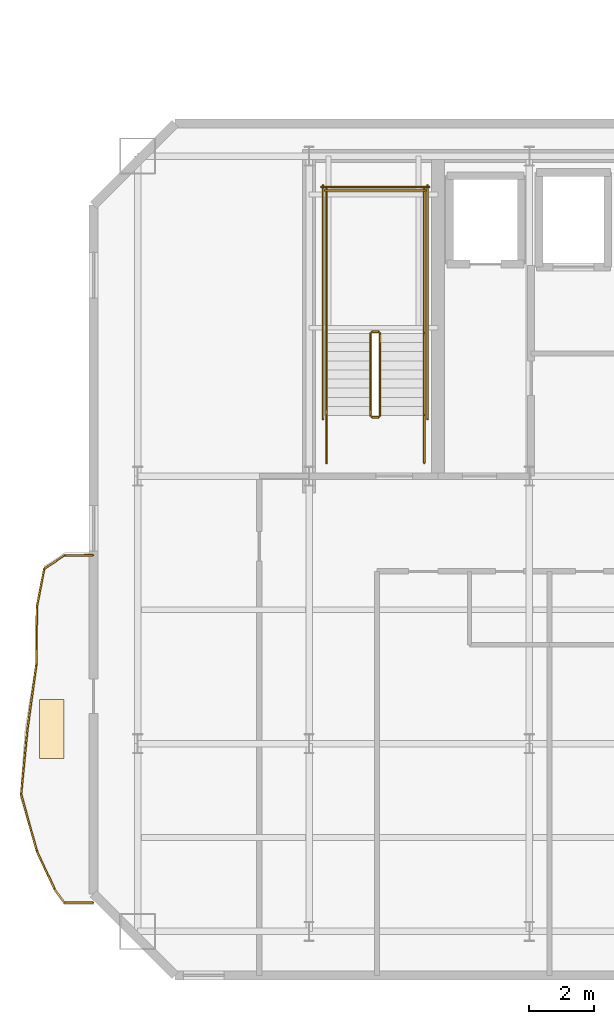
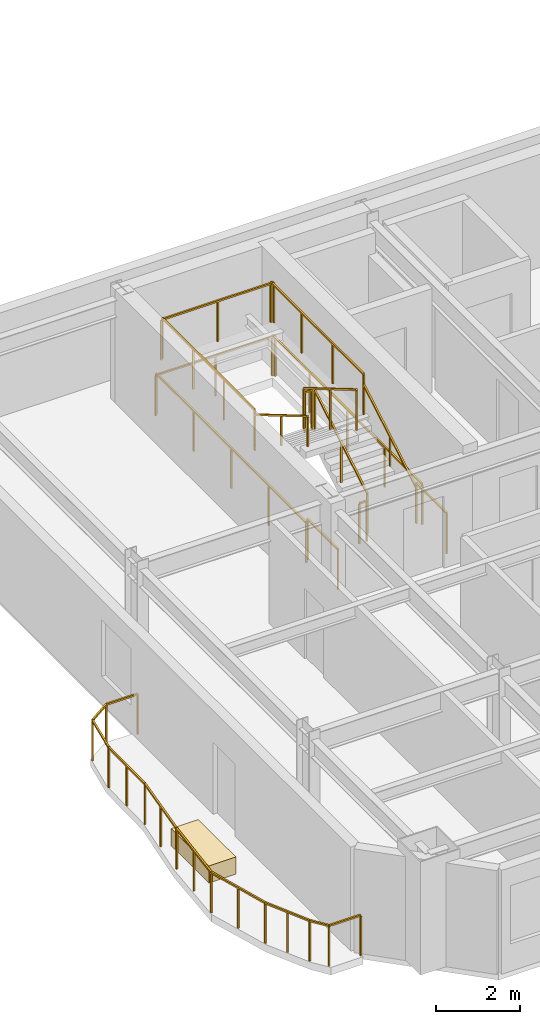
# One storey, part 11 of 14: 24 railings, 1 covering.
"""IFC4 building model written with IfcOpenShell, lengths in metres."""

from ifc_helpers import new_model, si_unit, direction, frame, origin, origin_2d, place, context, subcontext, project, spatial, rectangle, extrude, material, layer, layer_set, type_object, element, save


model = new_model("IFC4")

# Units and contexts
model_context = context("Model", 3, precision=1e-05, world=origin(), true_north=direction((0.0, 1.0)))
body_context = subcontext(model_context, "Body", "Model", "MODEL_VIEW")
ifc_project = project(units=[si_unit("LENGTHUNIT", "METRE"), si_unit("AREAUNIT", "SQUARE_METRE"), si_unit("VOLUMEUNIT", "CUBIC_METRE"), si_unit("PLANEANGLEUNIT", "RADIAN"), si_unit("MASSUNIT", "GRAM", prefix="KILO")], contexts=[model_context])

# Site, building, storey
site_placement = place(None, origin())
site = spatial("IfcSite", under=ifc_project, at=site_placement, CompositionType="ELEMENT")
building_placement = place(site_placement, origin())
building = spatial("IfcBuilding", under=site, at=building_placement, Name="Haevon Station Towers", CompositionType="ELEMENT")
storey_placement = place(building_placement, frame((0.0, 0.0, 231.89990234375)))
storey = spatial("IfcBuildingStorey", under=building, at=storey_placement, Name="L64", CompositionType="ELEMENT", Elevation=231.89990234375)

# Railings
ifc_material_1 = material(Name="Steel S355", Category="steel")
railing_type_1 = type_object("IfcRailingType", Name="GRD-EXT1200", PredefinedType="GUARDRAIL", material=ifc_material_1)
railing_1_placement = place(storey_placement, frame((17.37646484375, 35.772216796875, 0.0)))
element("IfcRailing", 1, at=railing_1_placement, inside=storey, type_object=railing_type_1, Name="L64 Perimeter Guardrail 1", PredefinedType="GUARDRAIL", context=body_context, shape_type="SweptSolid", body=[
    extrude(rectangle(XDim=0.048095703125, YDim=0.048095703125, at=origin_2d()), frame((0.0, 0.0, 1.17578125), z_axis=(-0.999997476494, -0.002246554286, 0.0), x_axis=(0.002246554286, -0.999997476494, 0.0)), (0.0, 0.0, 1.0), 0.869384765625),
    extrude(rectangle(XDim=0.0419921875, YDim=0.0419921875, at=origin_2d()), origin(), (0.0, 0.0, 1.0), 1.15185546875),
    extrude(rectangle(XDim=0.0419921875, YDim=0.0419921875, at=origin_2d()), frame((-0.869384765625, -0.001953125, 0.0)), (0.0, 0.0, 1.0), 1.15185546875),
])
railing_2_placement = place(storey_placement, frame((16.507080078125, 35.770263671875, 0.0)))
element("IfcRailing", 2, at=railing_2_placement, inside=storey, type_object=railing_type_1, Name="L64 Perimeter Guardrail 2", PredefinedType="GUARDRAIL", context=body_context, shape_type="SweptSolid", body=[
    extrude(rectangle(XDim=0.048095703125, YDim=0.048095703125, at=origin_2d()), frame((0.0, 0.0, 1.17578125), z_axis=(-0.833160144028, -0.553031802343, 0.0), x_axis=(0.553031802343, -0.833160144028, 0.0)), (0.0, 0.0, 1.0), 0.743408203125),
    extrude(rectangle(XDim=0.0419921875, YDim=0.0419921875, at=origin_2d()), origin(), (0.0, 0.0, 1.0), 1.15185546875),
    extrude(rectangle(XDim=0.0419921875, YDim=0.0419921875, at=origin_2d()), frame((-0.619384765625, -0.4111328125, 0.0)), (0.0, 0.0, 1.0), 1.15185546875),
])
railing_3_placement = place(storey_placement, frame((15.8876953125, 35.359130859375, 0.0)))
element("IfcRailing", 3, at=railing_3_placement, inside=storey, type_object=railing_type_1, Name="L64 Perimeter Guardrail 3", PredefinedType="GUARDRAIL", context=body_context, shape_type="SweptSolid", body=[
    extrude(rectangle(XDim=0.048095703125, YDim=0.048095703125, at=origin_2d()), frame((0.0, 0.0, 1.17578125), z_axis=(-0.18988815167, -0.981805729182, 0.0), x_axis=(0.981805729182, -0.18988815167, 0.0)), (0.0, 0.0, 1.0), 1.19189453125),
    extrude(rectangle(XDim=0.0419921875, YDim=0.0419921875, at=origin_2d()), origin(), (0.0, 0.0, 1.0), 1.15185546875),
    extrude(rectangle(XDim=0.0419921875, YDim=0.0419921875, at=origin_2d()), frame((-0.226318359375, -1.170166015625, 0.0)), (0.0, 0.0, 1.0), 1.15185546875),
])
railing_4_placement = place(storey_placement, frame((15.661376953125, 34.18896484375, 0.0)))
element("IfcRailing", 4, at=railing_4_placement, inside=storey, type_object=railing_type_1, Name="L64 Perimeter Guardrail 4", PredefinedType="GUARDRAIL", context=body_context, shape_type="SweptSolid", body=[
    extrude(rectangle(XDim=0.048095703125, YDim=0.048095703125, at=origin_2d()), frame((0.0, 0.0, 1.17578125), z_axis=(-0.00725326156, -0.999973694752, 0.0), x_axis=(0.999973694752, -0.00725326156, 0.0)), (0.0, 0.0, 1.0), 1.750244140625),
    extrude(rectangle(XDim=0.0419921875, YDim=0.0419921875, at=origin_2d()), origin(), (0.0, 0.0, 1.0), 1.15185546875),
    extrude(rectangle(XDim=0.0419921875, YDim=0.0419921875, at=origin_2d()), frame((-0.00634765625, -0.875, 0.0)), (0.0, 0.0, 1.0), 1.15185546875),
    extrude(rectangle(XDim=0.0419921875, YDim=0.0419921875, at=origin_2d()), frame((-0.0126953125, -1.750244140625, 0.0)), (0.0, 0.0, 1.0), 1.15185546875),
])
railing_5_placement = place(storey_placement, frame((15.648681640625, 32.438720703125, 0.0)))
element("IfcRailing", 5, at=railing_5_placement, inside=storey, type_object=railing_type_1, Name="L64 Perimeter Guardrail 5", PredefinedType="GUARDRAIL", context=body_context, shape_type="SweptSolid", body=[
    extrude(rectangle(XDim=0.048095703125, YDim=0.048095703125, at=origin_2d()), frame((0.0, 0.0, 1.17578125), z_axis=(-0.136328744782, -0.990663652985, 0.0), x_axis=(0.990663652985, -0.136328744782, 0.0)), (0.0, 0.0, 1.0), 2.007568359375),
    extrude(rectangle(XDim=0.0419921875, YDim=0.0419921875, at=origin_2d()), origin(), (0.0, 0.0, 1.0), 1.15185546875),
    extrude(rectangle(XDim=0.0419921875, YDim=0.0419921875, at=origin_2d()), frame((-0.13671875, -0.994384765625, 0.0)), (0.0, 0.0, 1.0), 1.15185546875),
    extrude(rectangle(XDim=0.0419921875, YDim=0.0419921875, at=origin_2d()), frame((-0.273681640625, -1.98876953125, 0.0)), (0.0, 0.0, 1.0), 1.15185546875),
])
railing_6_placement = place(storey_placement, frame((15.375, 30.449951171875, 0.0)))
element("IfcRailing", 6, at=railing_6_placement, inside=storey, type_object=railing_type_1, Name="L64 Perimeter Guardrail 6", PredefinedType="GUARDRAIL", context=body_context, shape_type="SweptSolid", body=[
    extrude(rectangle(XDim=0.048095703125, YDim=0.048095703125, at=origin_2d()), frame((0.0, 0.0, 1.17578125), z_axis=(-0.097718135752, -0.9952141307, 0.0), x_axis=(0.9952141307, -0.097718135752, 0.0)), (0.0, 0.0, 1.0), 2.003662109375),
    extrude(rectangle(XDim=0.0419921875, YDim=0.0419921875, at=origin_2d()), origin(), (0.0, 0.0, 1.0), 1.15185546875),
    extrude(rectangle(XDim=0.0419921875, YDim=0.0419921875, at=origin_2d()), frame((-0.097900390625, -0.9970703125, 0.0)), (0.0, 0.0, 1.0), 1.15185546875),
    extrude(rectangle(XDim=0.0419921875, YDim=0.0419921875, at=origin_2d()), frame((-0.19580078125, -1.994140625, 0.0)), (0.0, 0.0, 1.0), 1.15185546875),
])
railing_7_placement = place(storey_placement, frame((15.17919921875, 28.455810546875, 0.0)))
element("IfcRailing", 7, at=railing_7_placement, inside=storey, type_object=railing_type_1, Name="L64 Perimeter Guardrail 7", PredefinedType="GUARDRAIL", context=body_context, shape_type="SweptSolid", body=[
    extrude(rectangle(XDim=0.048095703125, YDim=0.048095703125, at=origin_2d()), frame((0.0, 0.0, 1.17578125), z_axis=(0.266356811872, -0.963874498454, 0.0), x_axis=(0.963874498454, 0.266356811872, 0.0)), (0.0, 0.0, 1.0), 1.810302734375),
    extrude(rectangle(XDim=0.0419921875, YDim=0.0419921875, at=origin_2d()), origin(), (0.0, 0.0, 1.0), 1.15185546875),
    extrude(rectangle(XDim=0.0419921875, YDim=0.0419921875, at=origin_2d()), frame((0.2412109375, -0.87255859375, 0.0)), (0.0, 0.0, 1.0), 1.15185546875),
    extrude(rectangle(XDim=0.0419921875, YDim=0.0419921875, at=origin_2d()), frame((0.482177734375, -1.744873046875, 0.0)), (0.0, 0.0, 1.0), 1.15185546875),
])
railing_8_placement = place(storey_placement, frame((15.661376953125, 26.7109375, 0.0)))
element("IfcRailing", 8, at=railing_8_placement, inside=storey, type_object=railing_type_1, Name="L64 Perimeter Guardrail 8", PredefinedType="GUARDRAIL", context=body_context, shape_type="SweptSolid", body=[
    extrude(rectangle(XDim=0.048095703125, YDim=0.048095703125, at=origin_2d()), frame((0.0, 0.0, 1.17578125), z_axis=(0.423464938521, -0.90591249348, 0.0), x_axis=(0.90591249348, 0.423464938521, 0.0)), (0.0, 0.0, 1.0), 1.29150390625),
    extrude(rectangle(XDim=0.0419921875, YDim=0.0419921875, at=origin_2d()), origin(), (0.0, 0.0, 1.0), 1.15185546875),
    extrude(rectangle(XDim=0.0419921875, YDim=0.0419921875, at=origin_2d()), frame((0.2734375, -0.5849609375, 0.0)), (0.0, 0.0, 1.0), 1.15185546875),
    extrude(rectangle(XDim=0.0419921875, YDim=0.0419921875, at=origin_2d()), frame((0.546875, -1.169921875, 0.0)), (0.0, 0.0, 1.0), 1.15185546875),
])
railing_9_placement = place(storey_placement, frame((16.208251953125, 25.541015625, 0.0)))
element("IfcRailing", 9, at=railing_9_placement, inside=storey, type_object=railing_type_1, Name="L64 Perimeter Guardrail 9", PredefinedType="GUARDRAIL", context=body_context, shape_type="SweptSolid", body=[
    extrude(rectangle(XDim=0.048095703125, YDim=0.048095703125, at=origin_2d()), frame((0.0, 0.0, 1.17578125), z_axis=(0.587943185417, -0.808902225688, 0.0), x_axis=(0.808902225688, 0.587943185417, 0.0)), (0.0, 0.0, 1.0), 0.50830078125),
    extrude(rectangle(XDim=0.0419921875, YDim=0.0419921875, at=origin_2d()), origin(), (0.0, 0.0, 1.0), 1.15185546875),
    extrude(rectangle(XDim=0.0419921875, YDim=0.0419921875, at=origin_2d()), frame((0.298828125, -0.4111328125, 0.0)), (0.0, 0.0, 1.0), 1.15185546875),
])
railing_10_placement = place(storey_placement, frame((16.507080078125, 25.1298828125, 0.0)))
element("IfcRailing", 10, at=railing_10_placement, inside=storey, type_object=railing_type_1, Name="L64 Perimeter Guardrail 10", PredefinedType="GUARDRAIL", context=body_context, shape_type="SweptSolid", body=[
    extrude(rectangle(XDim=0.048095703125, YDim=0.048095703125, at=origin_2d()), frame((0.0, 0.0, 1.17578125), z_axis=(0.999997476494, -0.002246554286, 0.0), x_axis=(0.002246554286, 0.999997476494, 0.0)), (0.0, 0.0, 1.0), 0.869384765625),
    extrude(rectangle(XDim=0.0419921875, YDim=0.0419921875, at=origin_2d()), origin(), (0.0, 0.0, 1.0), 1.15185546875),
    extrude(rectangle(XDim=0.0419921875, YDim=0.0419921875, at=origin_2d()), frame((0.869384765625, -0.001953125, 0.0)), (0.0, 0.0, 1.0), 1.15185546875),
])
railing_type_2 = type_object("IfcRailingType", Name="GRD-STR1200", PredefinedType="GUARDRAIL", material=ifc_material_1)
railing_11_placement = place(storey_placement, frame((26.179931640625, 40.050048828125, 0.1650390625)))
element("IfcRailing", 11, at=railing_11_placement, inside=storey, type_object=railing_type_2, Name="L64 ST1 Stair Guard 1", PredefinedType="GUARDRAIL", context=body_context, shape_type="SweptSolid", body=[
    extrude(rectangle(XDim=0.048095703125, YDim=0.048095703125, at=origin_2d()), frame((0.0, 0.0, 1.17578125), z_axis=(0.0, 0.86152411907, 0.507716645641), x_axis=(-1.0, 0.0, 0.0)), (0.0, 0.0, 1.0), 2.925048828125),
    extrude(rectangle(XDim=0.0419921875, YDim=0.0419921875, at=origin_2d()), origin(), (0.0, 0.0, 1.0), 1.15185546875),
    extrude(rectangle(XDim=0.0419921875, YDim=0.0419921875, at=origin_2d()), frame((0.0, 1.260009765625, 0.74267578125)), (0.0, 0.0, 1.0), 1.15185546875),
    extrude(rectangle(XDim=0.0419921875, YDim=0.0419921875, at=origin_2d()), frame((0.0, 2.52001953125, 1.485107421875)), (0.0, 0.0, 1.0), 1.15185546875),
])
railing_12_placement = place(storey_placement, frame((26.1298828125, 42.6201171875, 1.650146484375)))
element("IfcRailing", 12, at=railing_12_placement, inside=storey, type_object=railing_type_2, Name="L64 ST1 Stair Guard 2", PredefinedType="GUARDRAIL", context=body_context, shape_type="SweptSolid", body=[
    extrude(rectangle(XDim=0.048095703125, YDim=0.048095703125, at=origin_2d()), frame((0.0, 0.0, 1.17578125), z_axis=(-1.0, 0.0, 0.0), x_axis=(0.0, -1.0, 0.0)), (0.0, 0.0, 1.0), 0.199951171875),
    extrude(rectangle(XDim=0.0419921875, YDim=0.0419921875, at=origin_2d()), origin(), (0.0, 0.0, 1.0), 1.15185546875),
    extrude(rectangle(XDim=0.0419921875, YDim=0.0419921875, at=origin_2d()), frame((-0.199951171875, 0.0, 0.0)), (0.0, 0.0, 1.0), 1.15185546875),
])
for number, where, name in (
    (13, (27.530029296875, 42.570068359375, 1.650146484375), "L64 ST1 Stair Guard 3"),
    (14, (24.530029296875, 42.570068359375, 1.650146484375), "L64 ST1 Stair Guard 4"),
):
    element("IfcRailing", number, at=place(storey_placement, frame(where)), inside=storey, type_object=railing_type_2, Name=name, PredefinedType="GUARDRAIL", context=body_context, shape_type="SweptSolid", body=[
        extrude(rectangle(XDim=0.048095703125, YDim=0.048095703125, at=origin_2d()), frame((0.0, 0.0, 1.17578125), z_axis=(0.0, 1.0, 0.0), x_axis=(-1.0, 0.0, 0.0)), (0.0, 0.0, 1.0), 4.429931640625),
        extrude(rectangle(XDim=0.0419921875, YDim=0.0419921875, at=origin_2d()), origin(), (0.0, 0.0, 1.0), 1.15185546875),
        extrude(rectangle(XDim=0.0419921875, YDim=0.0419921875, at=origin_2d()), frame((0.0, 1.4765625, 0.0)), (0.0, 0.0, 1.0), 1.15185546875),
        extrude(rectangle(XDim=0.0419921875, YDim=0.0419921875, at=origin_2d()), frame((0.0, 2.953369140625, 0.0)), (0.0, 0.0, 1.0), 1.15185546875),
        extrude(rectangle(XDim=0.0419921875, YDim=0.0419921875, at=origin_2d()), frame((0.0, 4.429931640625, 0.0)), (0.0, 0.0, 1.0), 1.15185546875),
    ])
railing_13_placement = place(storey_placement, frame((27.580078125, 46.949951171875, 1.650146484375)))
element("IfcRailing", 15, at=railing_13_placement, inside=storey, type_object=railing_type_2, Name="L64 ST1 Stair Guard 5", PredefinedType="GUARDRAIL", context=body_context, shape_type="SweptSolid", body=[
    extrude(rectangle(XDim=0.048095703125, YDim=0.048095703125, at=origin_2d()), frame((0.0, 0.0, 1.17578125), z_axis=(-1.0, 0.0, 0.0), x_axis=(0.0, -1.0, 0.0)), (0.0, 0.0, 1.0), 3.10009765625),
    extrude(rectangle(XDim=0.0419921875, YDim=0.0419921875, at=origin_2d()), origin(), (0.0, 0.0, 1.0), 1.15185546875),
    extrude(rectangle(XDim=0.0419921875, YDim=0.0419921875, at=origin_2d()), frame((-1.550048828125, 0.0, 0.0)), (0.0, 0.0, 1.0), 1.15185546875),
    extrude(rectangle(XDim=0.0419921875, YDim=0.0419921875, at=origin_2d()), frame((-3.10009765625, 0.0, 0.0)), (0.0, 0.0, 1.0), 1.15185546875),
])
railing_14_placement = place(storey_placement, frame((25.8798828125, 42.570068359375, 1.815185546875)))
element("IfcRailing", 16, at=railing_14_placement, inside=storey, type_object=railing_type_2, Name="L64 ST1 Stair Guard 6", PredefinedType="GUARDRAIL", context=body_context, shape_type="SweptSolid", body=[
    extrude(rectangle(XDim=0.048095703125, YDim=0.048095703125, at=origin_2d()), frame((0.0, 0.0, 1.17578125), z_axis=(0.0, -0.861560626758, 0.507654692109), x_axis=(1.0, 0.0, 0.0)), (0.0, 0.0, 1.0), 2.925048828125),
    extrude(rectangle(XDim=0.0419921875, YDim=0.0419921875, at=origin_2d()), origin(), (0.0, 0.0, 1.0), 1.15185546875),
    extrude(rectangle(XDim=0.0419921875, YDim=0.0419921875, at=origin_2d()), frame((0.0, -1.260009765625, 0.742431640625)), (0.0, 0.0, 1.0), 1.15185546875),
    extrude(rectangle(XDim=0.0419921875, YDim=0.0419921875, at=origin_2d()), frame((0.0, -2.52001953125, 1.48486328125)), (0.0, 0.0, 1.0), 1.15185546875),
])
railing_15_placement = place(storey_placement, frame((26.1298828125, 40.0, 0.0)))
element("IfcRailing", 17, at=railing_15_placement, inside=storey, type_object=railing_type_2, Name="L64 ST1 Stair Guard 7", PredefinedType="GUARDRAIL", context=body_context, shape_type="SweptSolid", body=[
    extrude(rectangle(XDim=0.048095703125, YDim=0.048095703125, at=origin_2d()), frame((0.0, 0.0, 1.17578125), z_axis=(-1.0, 0.0, 0.0), x_axis=(0.0, -1.0, 0.0)), (0.0, 0.0, 1.0), 0.199951171875),
    extrude(rectangle(XDim=0.0419921875, YDim=0.0419921875, at=origin_2d()), origin(), (0.0, 0.0, 1.0), 1.15185546875),
    extrude(rectangle(XDim=0.0419921875, YDim=0.0419921875, at=origin_2d()), frame((-0.199951171875, 0.0, 0.0)), (0.0, 0.0, 1.0), 1.15185546875),
])
for number, where, name in (
    (18, (27.530029296875, 38.60009765625, 0.0), "L64 ST1 Stair Guard 8"),
    (19, (24.530029296875, 38.60009765625, 0.0), "L64 ST1 Stair Guard 9"),
):
    element("IfcRailing", number, at=place(storey_placement, frame(where)), inside=storey, type_object=railing_type_2, Name=name, PredefinedType="GUARDRAIL", context=body_context, shape_type="SweptSolid", body=[
        extrude(rectangle(XDim=0.048095703125, YDim=0.048095703125, at=origin_2d()), frame((0.0, 0.0, 1.17578125), z_axis=(0.0, 1.0, 0.0), x_axis=(-1.0, 0.0, 0.0)), (0.0, 0.0, 1.0), 1.449951171875),
        extrude(rectangle(XDim=0.0419921875, YDim=0.0419921875, at=origin_2d()), origin(), (0.0, 0.0, 1.0), 1.15185546875),
        extrude(rectangle(XDim=0.0419921875, YDim=0.0419921875, at=origin_2d()), frame((0.0, 1.449951171875, 0.0)), (0.0, 0.0, 1.0), 1.15185546875),
    ])
for number, where, name in (
    (20, (27.6298828125, 39.949951171875, 0.0), "L64 ST1 Stair Guard 10"),
    (21, (24.429931640625, 39.949951171875, 0.0), "L64 ST1 Stair Guard 11"),
):
    element("IfcRailing", number, at=place(storey_placement, frame(where)), inside=storey, type_object=railing_type_2, Name=name, PredefinedType="GUARDRAIL", context=body_context, shape_type="SweptSolid", body=[
        extrude(rectangle(XDim=0.048095703125, YDim=0.048095703125, at=origin_2d()), frame((0.0, 0.0, 1.17578125), z_axis=(0.0, 1.0, 0.0), x_axis=(-1.0, 0.0, 0.0)), (0.0, 0.0, 1.0), 7.150146484375),
        extrude(rectangle(XDim=0.0419921875, YDim=0.0419921875, at=origin_2d()), origin(), (0.0, 0.0, 1.0), 1.15185546875),
        extrude(rectangle(XDim=0.0419921875, YDim=0.0419921875, at=origin_2d()), frame((0.0, 1.78759765625, 0.0)), (0.0, 0.0, 1.0), 1.15185546875),
        extrude(rectangle(XDim=0.0419921875, YDim=0.0419921875, at=origin_2d()), frame((0.0, 3.5751953125, 0.0)), (0.0, 0.0, 1.0), 1.15185546875),
        extrude(rectangle(XDim=0.0419921875, YDim=0.0419921875, at=origin_2d()), frame((0.0, 5.362548828125, 0.0)), (0.0, 0.0, 1.0), 1.15185546875),
        extrude(rectangle(XDim=0.0419921875, YDim=0.0419921875, at=origin_2d()), frame((0.0, 7.150146484375, 0.0)), (0.0, 0.0, 1.0), 1.15185546875),
    ])
railing_16_placement = place(storey_placement, frame((27.679931640625, 47.050048828125, 0.0)))
element("IfcRailing", 22, at=railing_16_placement, inside=storey, type_object=railing_type_2, Name="L64 ST1 Stair Guard 12", PredefinedType="GUARDRAIL", context=body_context, shape_type="SweptSolid", body=[
    extrude(rectangle(XDim=0.048095703125, YDim=0.048095703125, at=origin_2d()), frame((0.0, 0.0, 1.17578125), z_axis=(-1.0, 0.0, 0.0), x_axis=(0.0, -1.0, 0.0)), (0.0, 0.0, 1.0), 3.300048828125),
    extrude(rectangle(XDim=0.0419921875, YDim=0.0419921875, at=origin_2d()), origin(), (0.0, 0.0, 1.0), 1.15185546875),
    extrude(rectangle(XDim=0.0419921875, YDim=0.0419921875, at=origin_2d()), frame((-1.64990234375, 0.0, 0.0)), (0.0, 0.0, 1.0), 1.15185546875),
    extrude(rectangle(XDim=0.0419921875, YDim=0.0419921875, at=origin_2d()), frame((-3.300048828125, 0.0, 0.0)), (0.0, 0.0, 1.0), 1.15185546875),
])
railing_type_3 = type_object("IfcRailingType", Name="HND-STR900", PredefinedType="HANDRAIL", material=ifc_material_1)
railing_17_placement = place(storey_placement, frame((27.530029296875, 40.050048828125, 0.1650390625)))
element("IfcRailing", 23, at=railing_17_placement, inside=storey, type_object=railing_type_3, Name="L64 ST1 Stair Handrail 1", PredefinedType="HANDRAIL", context=body_context, shape_type="SweptSolid", body=[
    extrude(rectangle(XDim=0.048095703125, YDim=0.048095703125, at=origin_2d()), frame((0.0, 0.0, 0.8759765625), z_axis=(0.0, 0.86152411907, 0.507716645641), x_axis=(-1.0, 0.0, 0.0)), (0.0, 0.0, 1.0), 2.925048828125),
    extrude(rectangle(XDim=0.0419921875, YDim=0.0419921875, at=origin_2d()), origin(), (0.0, 0.0, 1.0), 0.851806640625),
    extrude(rectangle(XDim=0.0419921875, YDim=0.0419921875, at=origin_2d()), frame((0.0, 1.260009765625, 0.74267578125)), (0.0, 0.0, 1.0), 0.851806640625),
    extrude(rectangle(XDim=0.0419921875, YDim=0.0419921875, at=origin_2d()), frame((0.0, 2.52001953125, 1.485107421875)), (0.0, 0.0, 1.0), 0.851806640625),
])
railing_18_placement = place(storey_placement, frame((24.530029296875, 42.570068359375, 1.815185546875)))
element("IfcRailing", 24, at=railing_18_placement, inside=storey, type_object=railing_type_3, Name="L64 ST1 Stair Handrail 2", PredefinedType="HANDRAIL", context=body_context, shape_type="SweptSolid", body=[
    extrude(rectangle(XDim=0.048095703125, YDim=0.048095703125, at=origin_2d()), frame((0.0, 0.0, 0.8759765625), z_axis=(0.0, -0.861560626758, 0.507654692109), x_axis=(1.0, 0.0, 0.0)), (0.0, 0.0, 1.0), 2.925048828125),
    extrude(rectangle(XDim=0.0419921875, YDim=0.0419921875, at=origin_2d()), origin(), (0.0, 0.0, 1.0), 0.851806640625),
    extrude(rectangle(XDim=0.0419921875, YDim=0.0419921875, at=origin_2d()), frame((0.0, -1.260009765625, 0.742431640625)), (0.0, 0.0, 1.0), 0.851806640625),
    extrude(rectangle(XDim=0.0419921875, YDim=0.0419921875, at=origin_2d()), frame((0.0, -2.52001953125, 1.48486328125)), (0.0, 0.0, 1.0), 0.851806640625),
])

# Covering
ifc_material_2 = material(Name="Architectural planter GRC", Category="concrete")
ifc_layer = layer(ifc_material_2, 0.550048828125)
ifc_layer_set = layer_set([ifc_layer], Name="Architectural planter GRC")
covering_type = type_object("IfcCoveringType", Name="PLN-GRC550", PredefinedType="MOLDING", material=ifc_layer_set)
covering_placement = place(storey_placement, frame((16.11669921875, 30.449951171875, 0.0), z_axis=(0.0, 0.0, 1.0), x_axis=(1.0, 0.0, 0.0)))
element("IfcCovering", 25, at=covering_placement, inside=storey, type_object=covering_type, Name="Tower 1 L64 Scalloped Balcony PLANTER", PredefinedType="MOLDING", context=body_context, shape_type="SweptSolid", body=[
    extrude(rectangle(XDim=0.75, YDim=1.800048828125, at=origin_2d()), origin(), (0.0, 0.0, 1.0), 0.5),
])

save(model, "model.ifc")
